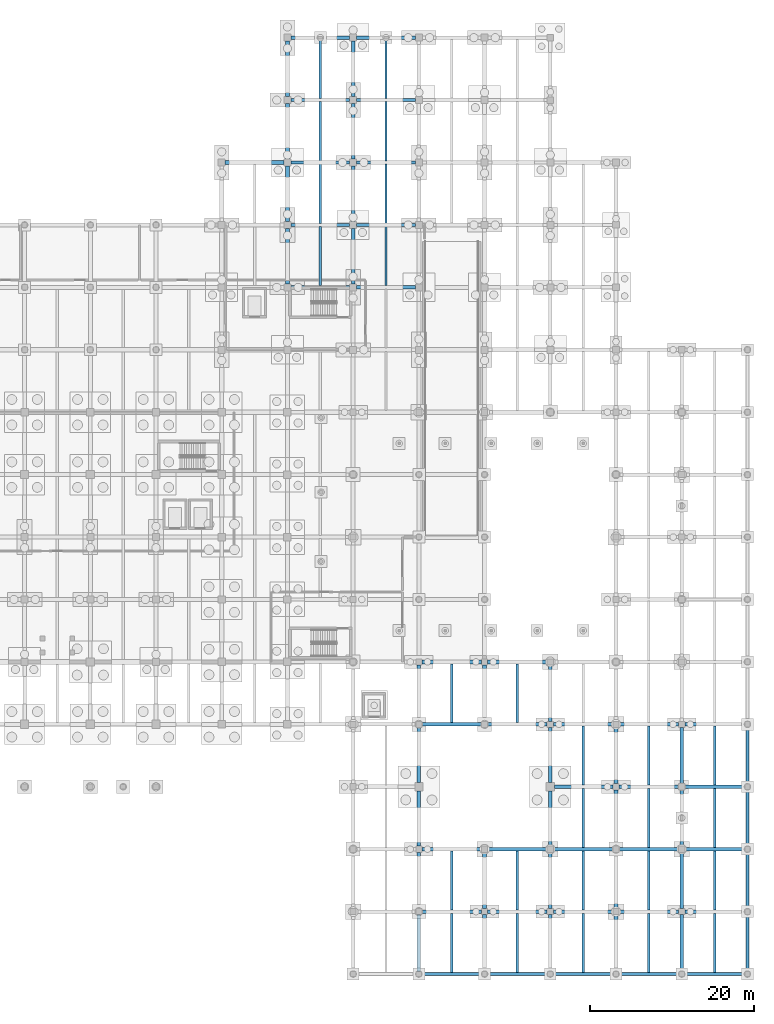
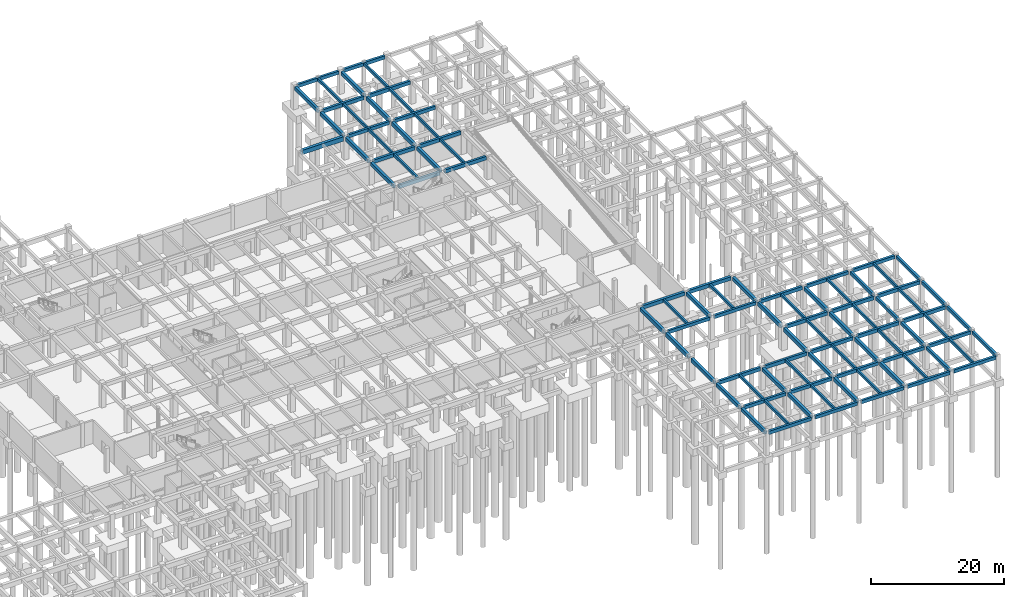
# One storey, part 31 of 49: 95 beams.
"""IFC4 building model written with IfcOpenShell, lengths in metres."""

from ifc_helpers import new_model, si_unit, direction, frame, origin, origin_2d, place, context, subcontext, project, spatial, rectangle, extrude, material, material_profile, profile_set, type_object, element, save


model = new_model("IFC4")

# Units and contexts
model_context = context("Model", 3, precision=1e-05, world=origin(), true_north=direction((0.0, 1.0)))
body_context = subcontext(model_context, "Body", "Model", "MODEL_VIEW")
ifc_project = project(units=[si_unit("LENGTHUNIT", "METRE"), si_unit("AREAUNIT", "SQUARE_METRE"), si_unit("VOLUMEUNIT", "CUBIC_METRE"), si_unit("PLANEANGLEUNIT", "RADIAN"), si_unit("MASSUNIT", "GRAM", prefix="KILO")], contexts=[model_context])

# Site, building, storey
site_placement = place(None, origin())
site = spatial("IfcSite", under=ifc_project, at=site_placement, CompositionType="ELEMENT")
building_placement = place(site_placement, origin())
building = spatial("IfcBuilding", under=site, at=building_placement, Name="Zantavel Square City Hall", CompositionType="ELEMENT")
storey_placement = place(building_placement, frame((0.0, 0.0, -4.5)))
storey = spatial("IfcBuildingStorey", under=building, at=storey_placement, Name="B1", CompositionType="ELEMENT", Elevation=-4.5)

# Beams
ifc_material = material(Name="Concrete C35/45", Category="concrete")
ifc_material_profile_1 = material_profile(ifc_material, rectangle(XDim=0.449951171875, YDim=0.64990234375, at=origin_2d()), Name="RC 450x650")
ifc_profile_set_1 = profile_set([ifc_material_profile_1], Name="Concrete C35/45")
beam_type_1 = type_object("IfcBeamType", Name="Courtyard Cloister Girder RC 450x650 C35/45", PredefinedType="BEAM", material=ifc_profile_set_1)
for number, where, z_axis, x_axis, name in (
    (1, (128.375, 38.0, 3.875), (1.0, 0.0, 0.0), (0.0, 1.0, 0.0), "B1 Girder BMX-B1-1280-0380"),
    (2, (136.375, 38.0, 3.875), (1.0, 0.0, 0.0), (0.0, 1.0, 0.0), "B1 Girder BMX-B1-1360-0380"),
):
    element("IfcBeam", number, at=place(storey_placement, frame(where, z_axis=z_axis, x_axis=x_axis)), inside=storey, type_object=beam_type_1, Name=name, PredefinedType="BEAM", context=body_context, shape_type="SweptSolid", body=[
        extrude(rectangle(XDim=0.449951171875, YDim=0.64990234375, at=origin_2d()), origin(), (0.0, 0.0, 1.0), 7.25),
    ])
ifc_material_profile_2 = material_profile(ifc_material, rectangle(XDim=0.300048828125, YDim=0.5, at=origin_2d()), Name="RC 300x500")
ifc_profile_set_2 = profile_set([ifc_material_profile_2], Name="Concrete C35/45")
beam_type_2 = type_object("IfcBeamType", Name="Floor Joist RC 300x500 C35/45", PredefinedType="JOIST", material=ifc_profile_set_2)
beam_1_placement = place(storey_placement, frame((116.0, 83.800048828125, 3.949951171875), z_axis=(0.0, 1.0, 0.0), x_axis=(-1.0, 0.0, 0.0)))
element("IfcBeam", 3, at=beam_1_placement, inside=storey, type_object=beam_type_2, Name="B1 Floor Joist JST-B1-1160-0836", PredefinedType="JOIST", context=body_context, shape_type="SweptSolid", body=[
    extrude(rectangle(XDim=0.300048828125, YDim=0.5, at=origin_2d()), origin(), (0.0, 0.0, 1.0), 7.199951171875),
])
beam_2_placement = place(storey_placement, frame((116.0, 91.39990234375, 3.949951171875), z_axis=(0.0, 1.0, 0.0), x_axis=(-1.0, 0.0, 0.0)))
element("IfcBeam", 4, at=beam_2_placement, inside=storey, type_object=beam_type_2, Name="B1 Floor Joist JST-B1-1160-0912", PredefinedType="JOIST", context=body_context, shape_type="SweptSolid", body=[
    extrude(rectangle(XDim=0.300048828125, YDim=0.5, at=origin_2d()), origin(), (0.0, 0.0, 1.0), 7.2001953125),
])
for number, where, z_axis, x_axis, name in (
    (5, (116.0, 99.0, 3.949951171875), (0.0, 1.0, 0.0), (-1.0, 0.0, 0.0), "B1 Floor Joist JST-B1-1160-0988"),
    (6, (116.0, 106.60009765625, 3.949951171875), (0.0, 1.0, 0.0), (-1.0, 0.0, 0.0), "B1 Floor Joist JST-B1-1160-1064"),
    (7, (124.0, 83.800048828125, 3.949951171875), (0.0, 1.0, 0.0), (-1.0, 0.0, 0.0), "B1 Floor Joist JST-B1-1240-0836"),
):
    element("IfcBeam", number, at=place(storey_placement, frame(where, z_axis=z_axis, x_axis=x_axis)), inside=storey, type_object=beam_type_2, Name=name, PredefinedType="JOIST", context=body_context, shape_type="SweptSolid", body=[
        extrude(rectangle(XDim=0.300048828125, YDim=0.5, at=origin_2d()), origin(), (0.0, 0.0, 1.0), 7.199951171875),
    ])
beam_3_placement = place(storey_placement, frame((124.0, 91.39990234375, 3.949951171875), z_axis=(0.0, 1.0, 0.0), x_axis=(-1.0, 0.0, 0.0)))
element("IfcBeam", 8, at=beam_3_placement, inside=storey, type_object=beam_type_2, Name="B1 Floor Joist JST-B1-1240-0912", PredefinedType="JOIST", context=body_context, shape_type="SweptSolid", body=[
    extrude(rectangle(XDim=0.300048828125, YDim=0.5, at=origin_2d()), origin(), (0.0, 0.0, 1.0), 7.2001953125),
])
for number, where, z_axis, x_axis, name in (
    (9, (124.0, 99.0, 3.949951171875), (0.0, 1.0, 0.0), (-1.0, 0.0, 0.0), "B1 Floor Joist JST-B1-1240-0988"),
    (10, (124.0, 106.60009765625, 3.949951171875), (0.0, 1.0, 0.0), (-1.0, 0.0, 0.0), "B1 Floor Joist JST-B1-1240-1064"),
    (11, (132.0, 0.199951171875, 3.949951171875), (0.0, 1.0, 0.0), (-1.0, 0.0, 0.0), "B1 Floor Joist JST-B1-1320-0000"),
    (12, (132.0, 7.800048828125, 3.949951171875), (0.0, 1.0, 0.0), (-1.0, 0.0, 0.0), "B1 Floor Joist JST-B1-1320-0076"),
):
    element("IfcBeam", number, at=place(storey_placement, frame(where, z_axis=z_axis, x_axis=x_axis)), inside=storey, type_object=beam_type_2, Name=name, PredefinedType="JOIST", context=body_context, shape_type="SweptSolid", body=[
        extrude(rectangle(XDim=0.300048828125, YDim=0.5, at=origin_2d()), origin(), (0.0, 0.0, 1.0), 7.199951171875),
    ])
beam_4_placement = place(storey_placement, frame((132.0, 30.60009765625, 3.949951171875), z_axis=(0.0, 1.0, 0.0), x_axis=(-1.0, 0.0, 0.0)))
element("IfcBeam", 13, at=beam_4_placement, inside=storey, type_object=beam_type_2, Name="B1 Floor Joist JST-B1-1320-0304", PredefinedType="JOIST", context=body_context, shape_type="SweptSolid", body=[
    extrude(rectangle(XDim=0.300048828125, YDim=0.5, at=origin_2d()), origin(), (0.0, 0.0, 1.0), 7.1748046875),
])
for number, where, z_axis, x_axis, name in (
    (14, (140.0, 0.199951171875, 3.949951171875), (0.0, 1.0, 0.0), (-1.0, 0.0, 0.0), "B1 Floor Joist JST-B1-1400-0000"),
    (15, (140.0, 7.800048828125, 3.949951171875), (0.0, 1.0, 0.0), (-1.0, 0.0, 0.0), "B1 Floor Joist JST-B1-1400-0076"),
):
    element("IfcBeam", number, at=place(storey_placement, frame(where, z_axis=z_axis, x_axis=x_axis)), inside=storey, type_object=beam_type_2, Name=name, PredefinedType="JOIST", context=body_context, shape_type="SweptSolid", body=[
        extrude(rectangle(XDim=0.300048828125, YDim=0.5, at=origin_2d()), origin(), (0.0, 0.0, 1.0), 7.199951171875),
    ])
beam_5_placement = place(storey_placement, frame((140.0, 30.60009765625, 3.949951171875), z_axis=(0.0, 1.0, 0.0), x_axis=(-1.0, 0.0, 0.0)))
element("IfcBeam", 16, at=beam_5_placement, inside=storey, type_object=beam_type_2, Name="B1 Floor Joist JST-B1-1400-0304", PredefinedType="JOIST", context=body_context, shape_type="SweptSolid", body=[
    extrude(rectangle(XDim=0.300048828125, YDim=0.5, at=origin_2d()), origin(), (0.0, 0.0, 1.0), 7.1748046875),
])
for number, where, z_axis, x_axis, name in (
    (17, (148.0, 0.199951171875, 3.949951171875), (0.0, 1.0, 0.0), (-1.0, 0.0, 0.0), "B1 Floor Joist JST-B1-1480-0000"),
    (18, (148.0, 7.800048828125, 3.949951171875), (0.0, 1.0, 0.0), (-1.0, 0.0, 0.0), "B1 Floor Joist JST-B1-1480-0076"),
):
    element("IfcBeam", number, at=place(storey_placement, frame(where, z_axis=z_axis, x_axis=x_axis)), inside=storey, type_object=beam_type_2, Name=name, PredefinedType="JOIST", context=body_context, shape_type="SweptSolid", body=[
        extrude(rectangle(XDim=0.300048828125, YDim=0.5, at=origin_2d()), origin(), (0.0, 0.0, 1.0), 7.199951171875),
    ])
beam_6_placement = place(storey_placement, frame((148.0, 15.39990234375, 3.949951171875), z_axis=(0.0, 1.0, 0.0), x_axis=(-1.0, 0.0, 0.0)))
element("IfcBeam", 19, at=beam_6_placement, inside=storey, type_object=beam_type_2, Name="B1 Floor Joist JST-B1-1480-0152", PredefinedType="JOIST", context=body_context, shape_type="SweptSolid", body=[
    extrude(rectangle(XDim=0.300048828125, YDim=0.5, at=origin_2d()), origin(), (0.0, 0.0, 1.0), 7.2001953125),
])
for number, where, z_axis, x_axis, name in (
    (20, (148.0, 23.0, 3.949951171875), (0.0, 1.0, 0.0), (-1.0, 0.0, 0.0), "B1 Floor Joist JST-B1-1480-0228"),
    (21, (156.0, 0.199951171875, 3.949951171875), (0.0, 1.0, 0.0), (-1.0, 0.0, 0.0), "B1 Floor Joist JST-B1-1560-0000"),
    (22, (156.0, 7.800048828125, 3.949951171875), (0.0, 1.0, 0.0), (-1.0, 0.0, 0.0), "B1 Floor Joist JST-B1-1560-0076"),
):
    element("IfcBeam", number, at=place(storey_placement, frame(where, z_axis=z_axis, x_axis=x_axis)), inside=storey, type_object=beam_type_2, Name=name, PredefinedType="JOIST", context=body_context, shape_type="SweptSolid", body=[
        extrude(rectangle(XDim=0.300048828125, YDim=0.5, at=origin_2d()), origin(), (0.0, 0.0, 1.0), 7.199951171875),
    ])
beam_7_placement = place(storey_placement, frame((156.0, 15.39990234375, 3.949951171875), z_axis=(0.0, 1.0, 0.0), x_axis=(-1.0, 0.0, 0.0)))
element("IfcBeam", 23, at=beam_7_placement, inside=storey, type_object=beam_type_2, Name="B1 Floor Joist JST-B1-1560-0152", PredefinedType="JOIST", context=body_context, shape_type="SweptSolid", body=[
    extrude(rectangle(XDim=0.300048828125, YDim=0.5, at=origin_2d()), origin(), (0.0, 0.0, 1.0), 7.2001953125),
])
for number, where, z_axis, x_axis, name in (
    (24, (156.0, 23.0, 3.949951171875), (0.0, 1.0, 0.0), (-1.0, 0.0, 0.0), "B1 Floor Joist JST-B1-1560-0228"),
    (25, (164.0, 0.199951171875, 4.0), (0.0, 1.0, 0.0), (-1.0, 0.0, 0.0), "B1 Floor Joist JST-B1-1640-0000"),
    (26, (164.0, 7.800048828125, 4.0), (0.0, 1.0, 0.0), (-1.0, 0.0, 0.0), "B1 Floor Joist JST-B1-1640-0076"),
):
    element("IfcBeam", number, at=place(storey_placement, frame(where, z_axis=z_axis, x_axis=x_axis)), inside=storey, type_object=beam_type_2, Name=name, PredefinedType="JOIST", context=body_context, shape_type="SweptSolid", body=[
        extrude(rectangle(XDim=0.300048828125, YDim=0.5, at=origin_2d()), origin(), (0.0, 0.0, 1.0), 7.199951171875),
    ])
beam_8_placement = place(storey_placement, frame((164.0, 15.39990234375, 4.0), z_axis=(0.0, 1.0, 0.0), x_axis=(-1.0, 0.0, 0.0)))
element("IfcBeam", 27, at=beam_8_placement, inside=storey, type_object=beam_type_2, Name="B1 Floor Joist JST-B1-1640-0152", PredefinedType="JOIST", context=body_context, shape_type="SweptSolid", body=[
    extrude(rectangle(XDim=0.300048828125, YDim=0.5, at=origin_2d()), origin(), (0.0, 0.0, 1.0), 7.2001953125),
])
beam_9_placement = place(storey_placement, frame((164.0, 23.0, 4.0), z_axis=(0.0, 1.0, 0.0), x_axis=(-1.0, 0.0, 0.0)))
element("IfcBeam", 28, at=beam_9_placement, inside=storey, type_object=beam_type_2, Name="B1 Floor Joist JST-B1-1640-0228", PredefinedType="JOIST", context=body_context, shape_type="SweptSolid", body=[
    extrude(rectangle(XDim=0.300048828125, YDim=0.5, at=origin_2d()), origin(), (0.0, 0.0, 1.0), 7.199951171875),
])
ifc_material_profile_3 = material_profile(ifc_material, rectangle(XDim=0.39990234375, YDim=0.64990234375, at=origin_2d()), Name="RC 400x650")
ifc_profile_set_3 = profile_set([ifc_material_profile_3], Name="Concrete C35/45")
beam_type_3 = type_object("IfcBeamType", Name="Frame Beam RC 400x650 C35/45", PredefinedType="BEAM", material=ifc_profile_set_3)
for number, where, z_axis, x_axis, name in (
    (29, (112.425048828125, 83.60009765625, 3.875), (1.0, 0.0, 0.0), (0.0, 1.0, 0.0), "B1 Girder BMX-B1-1120-0836"),
    (30, (112.425048828125, 91.199951171875, 3.875), (1.0, 0.0, 0.0), (0.0, 1.0, 0.0), "B1 Girder BMX-B1-1120-0912"),
    (31, (112.425048828125, 106.39990234375, 3.875), (1.0, 0.0, 0.0), (0.0, 1.0, 0.0), "B1 Girder BMX-B1-1120-1064"),
    (32, (120.425048828125, 83.60009765625, 3.875), (1.0, 0.0, 0.0), (0.0, 1.0, 0.0), "B1 Girder BMX-B1-1200-0836"),
    (33, (120.425048828125, 91.199951171875, 3.875), (1.0, 0.0, 0.0), (0.0, 1.0, 0.0), "B1 Girder BMX-B1-1200-0912"),
    (34, (120.425048828125, 106.39990234375, 3.875), (1.0, 0.0, 0.0), (0.0, 1.0, 0.0), "B1 Girder BMX-B1-1200-1064"),
):
    element("IfcBeam", number, at=place(storey_placement, frame(where, z_axis=z_axis, x_axis=x_axis)), inside=storey, type_object=beam_type_3, Name=name, PredefinedType="BEAM", context=body_context, shape_type="SweptSolid", body=[
        extrude(rectangle(XDim=0.39990234375, YDim=0.64990234375, at=origin_2d()), origin(), (0.0, 0.0, 1.0), 7.14990234375),
    ])
for number, where, z_axis, x_axis, name in (
    (35, (128.375, 15.199951171875, 3.875), (1.0, 0.0, 0.0), (0.0, 1.0, 0.0), "B1 Girder BMX-B1-1280-0152"),
    (36, (136.375, 15.199951171875, 3.875), (1.0, 0.0, 0.0), (0.0, 1.0, 0.0), "B1 Girder BMX-B1-1360-0152"),
    (37, (144.375, 15.199951171875, 3.875), (1.0, 0.0, 0.0), (0.0, 1.0, 0.0), "B1 Girder BMX-B1-1440-0152"),
):
    element("IfcBeam", number, at=place(storey_placement, frame(where, z_axis=z_axis, x_axis=x_axis)), inside=storey, type_object=beam_type_3, Name=name, PredefinedType="BEAM", context=body_context, shape_type="SweptSolid", body=[
        extrude(rectangle(XDim=0.39990234375, YDim=0.64990234375, at=origin_2d()), origin(), (0.0, 0.0, 1.0), 7.25),
    ])
beam_10_placement = place(storey_placement, frame((144.5, 22.800048828125, 3.875), z_axis=(1.0, 0.0, 0.0), x_axis=(0.0, 1.0, 0.0)))
element("IfcBeam", 38, at=beam_10_placement, inside=storey, type_object=beam_type_3, Name="B1 Girder BMX-B1-1440-0228", PredefinedType="BEAM", context=body_context, shape_type="SweptSolid", body=[
    extrude(rectangle(XDim=0.39990234375, YDim=0.64990234375, at=origin_2d()), origin(), (0.0, 0.0, 1.0), 7.125),
])
for number, where, z_axis, x_axis, name in (
    (39, (152.375, 15.199951171875, 3.875), (1.0, 0.0, 0.0), (0.0, 1.0, 0.0), "B1 Girder BMX-B1-1520-0152"),
    (40, (152.375, 22.800048828125, 3.875), (1.0, 0.0, 0.0), (0.0, 1.0, 0.0), "B1 Girder BMX-B1-1520-0228"),
):
    element("IfcBeam", number, at=place(storey_placement, frame(where, z_axis=z_axis, x_axis=x_axis)), inside=storey, type_object=beam_type_3, Name=name, PredefinedType="BEAM", context=body_context, shape_type="SweptSolid", body=[
        extrude(rectangle(XDim=0.39990234375, YDim=0.64990234375, at=origin_2d()), origin(), (0.0, 0.0, 1.0), 7.25),
    ])
for number, where, z_axis, x_axis, name in (
    (41, (160.375, 15.199951171875, 3.925048828125), (1.0, 0.0, 0.0), (0.0, 1.0, 0.0), "B1 Girder BMX-B1-1600-0152"),
    (42, (160.375, 22.800048828125, 3.925048828125), (1.0, 0.0, 0.0), (0.0, 1.0, 0.0), "B1 Girder BMX-B1-1600-0228"),
):
    element("IfcBeam", number, at=place(storey_placement, frame(where, z_axis=z_axis, x_axis=x_axis)), inside=storey, type_object=beam_type_3, Name=name, PredefinedType="BEAM", context=body_context, shape_type="SweptSolid", body=[
        extrude(rectangle(XDim=0.39990234375, YDim=0.64990234375, at=origin_2d()), origin(), (0.0, 0.0, 1.0), 7.300048828125),
    ])
ifc_material_profile_4 = material_profile(ifc_material, rectangle(XDim=0.39990234375, YDim=0.60009765625, at=origin_2d()), Name="RC 400x600")
ifc_profile_set_4 = profile_set([ifc_material_profile_4], Name="Concrete C35/45")
beam_type_4 = type_object("IfcBeamType", Name="Perimeter Spandrel RC 400x600 C35/45", PredefinedType="SPANDREL", material=ifc_profile_set_4)
for number, where, z_axis, x_axis, name in (
    (43, (112.425048828125, 98.800048828125, 3.89990234375), (1.0, 0.0, 0.0), (0.0, 1.0, 0.0), "B1 Girder BMX-B1-1120-0988"),
    (44, (112.425048828125, 114.0, 3.89990234375), (1.0, 0.0, 0.0), (0.0, 1.0, 0.0), "B1 Girder BMX-B1-1120-1140"),
    (45, (120.425048828125, 98.800048828125, 3.89990234375), (1.0, 0.0, 0.0), (0.0, 1.0, 0.0), "B1 Girder BMX-B1-1200-0988"),
    (46, (120.425048828125, 114.0, 3.89990234375), (1.0, 0.0, 0.0), (0.0, 1.0, 0.0), "B1 Girder BMX-B1-1200-1140"),
):
    element("IfcBeam", number, at=place(storey_placement, frame(where, z_axis=z_axis, x_axis=x_axis)), inside=storey, type_object=beam_type_4, Name=name, PredefinedType="SPANDREL", context=body_context, shape_type="SweptSolid", body=[
        extrude(rectangle(XDim=0.39990234375, YDim=0.60009765625, at=origin_2d()), origin(), (0.0, 0.0, 1.0), 7.14990234375),
    ])
beam_11_placement = place(storey_placement, frame((128.324951171875, 0.0, 3.949951171875), z_axis=(1.0, 0.0, 0.0), x_axis=(0.0, 1.0, 0.0)))
element("IfcBeam", 47, at=beam_11_placement, inside=storey, type_object=beam_type_4, Name="B1 Girder BMX-B1-1280-0000", PredefinedType="SPANDREL", context=body_context, shape_type="SweptSolid", body=[
    extrude(rectangle(XDim=0.39990234375, YDim=0.60009765625, at=origin_2d()), origin(), (0.0, 0.0, 1.0), 7.35009765625),
])
for number, where, z_axis, x_axis, name in (
    (48, (128.375, 7.60009765625, 3.89990234375), (1.0, 0.0, 0.0), (0.0, 1.0, 0.0), "B1 Girder BMX-B1-1280-0076"),
    (49, (128.375, 30.39990234375, 3.89990234375), (1.0, 0.0, 0.0), (0.0, 1.0, 0.0), "B1 Girder BMX-B1-1280-0304"),
):
    element("IfcBeam", number, at=place(storey_placement, frame(where, z_axis=z_axis, x_axis=x_axis)), inside=storey, type_object=beam_type_4, Name=name, PredefinedType="SPANDREL", context=body_context, shape_type="SweptSolid", body=[
        extrude(rectangle(XDim=0.39990234375, YDim=0.60009765625, at=origin_2d()), origin(), (0.0, 0.0, 1.0), 7.25),
    ])
beam_12_placement = place(storey_placement, frame((136.324951171875, 0.0, 3.949951171875), z_axis=(1.0, 0.0, 0.0), x_axis=(0.0, 1.0, 0.0)))
element("IfcBeam", 50, at=beam_12_placement, inside=storey, type_object=beam_type_4, Name="B1 Girder BMX-B1-1360-0000", PredefinedType="SPANDREL", context=body_context, shape_type="SweptSolid", body=[
    extrude(rectangle(XDim=0.39990234375, YDim=0.60009765625, at=origin_2d()), origin(), (0.0, 0.0, 1.0), 7.35009765625),
])
for number, where, z_axis, x_axis, name in (
    (51, (136.375, 7.60009765625, 3.89990234375), (1.0, 0.0, 0.0), (0.0, 1.0, 0.0), "B1 Girder BMX-B1-1360-0076"),
    (52, (136.375, 30.39990234375, 3.89990234375), (1.0, 0.0, 0.0), (0.0, 1.0, 0.0), "B1 Girder BMX-B1-1360-0304"),
):
    element("IfcBeam", number, at=place(storey_placement, frame(where, z_axis=z_axis, x_axis=x_axis)), inside=storey, type_object=beam_type_4, Name=name, PredefinedType="SPANDREL", context=body_context, shape_type="SweptSolid", body=[
        extrude(rectangle(XDim=0.39990234375, YDim=0.60009765625, at=origin_2d()), origin(), (0.0, 0.0, 1.0), 7.25),
    ])
beam_13_placement = place(storey_placement, frame((144.324951171875, 0.0, 3.949951171875), z_axis=(1.0, 0.0, 0.0), x_axis=(0.0, 1.0, 0.0)))
element("IfcBeam", 53, at=beam_13_placement, inside=storey, type_object=beam_type_4, Name="B1 Girder BMX-B1-1440-0000", PredefinedType="SPANDREL", context=body_context, shape_type="SweptSolid", body=[
    extrude(rectangle(XDim=0.39990234375, YDim=0.60009765625, at=origin_2d()), origin(), (0.0, 0.0, 1.0), 7.35009765625),
])
for number, where, z_axis, x_axis, name in (
    (54, (144.375, 7.60009765625, 3.89990234375), (1.0, 0.0, 0.0), (0.0, 1.0, 0.0), "B1 Girder BMX-B1-1440-0076"),
    (55, (144.375, 30.39990234375, 3.89990234375), (1.0, 0.0, 0.0), (0.0, 1.0, 0.0), "B1 Girder BMX-B1-1440-0304"),
):
    element("IfcBeam", number, at=place(storey_placement, frame(where, z_axis=z_axis, x_axis=x_axis)), inside=storey, type_object=beam_type_4, Name=name, PredefinedType="SPANDREL", context=body_context, shape_type="SweptSolid", body=[
        extrude(rectangle(XDim=0.39990234375, YDim=0.60009765625, at=origin_2d()), origin(), (0.0, 0.0, 1.0), 7.25),
    ])
beam_14_placement = place(storey_placement, frame((152.324951171875, 0.0, 3.949951171875), z_axis=(1.0, 0.0, 0.0), x_axis=(0.0, 1.0, 0.0)))
element("IfcBeam", 56, at=beam_14_placement, inside=storey, type_object=beam_type_4, Name="B1 Girder BMX-B1-1520-0000", PredefinedType="SPANDREL", context=body_context, shape_type="SweptSolid", body=[
    extrude(rectangle(XDim=0.39990234375, YDim=0.60009765625, at=origin_2d()), origin(), (0.0, 0.0, 1.0), 7.35009765625),
])
for number, where, z_axis, x_axis, name in (
    (57, (152.375, 7.60009765625, 3.89990234375), (1.0, 0.0, 0.0), (0.0, 1.0, 0.0), "B1 Girder BMX-B1-1520-0076"),
    (58, (152.375, 30.39990234375, 3.89990234375), (1.0, 0.0, 0.0), (0.0, 1.0, 0.0), "B1 Girder BMX-B1-1520-0304"),
):
    element("IfcBeam", number, at=place(storey_placement, frame(where, z_axis=z_axis, x_axis=x_axis)), inside=storey, type_object=beam_type_4, Name=name, PredefinedType="SPANDREL", context=body_context, shape_type="SweptSolid", body=[
        extrude(rectangle(XDim=0.39990234375, YDim=0.60009765625, at=origin_2d()), origin(), (0.0, 0.0, 1.0), 7.25),
    ])
beam_15_placement = place(storey_placement, frame((160.324951171875, 0.0, 3.949951171875), z_axis=(1.0, 0.0, 0.0), x_axis=(0.0, 1.0, 0.0)))
element("IfcBeam", 59, at=beam_15_placement, inside=storey, type_object=beam_type_4, Name="B1 Girder BMX-B1-1600-0000", PredefinedType="SPANDREL", context=body_context, shape_type="SweptSolid", body=[
    extrude(rectangle(XDim=0.39990234375, YDim=0.60009765625, at=origin_2d()), origin(), (0.0, 0.0, 1.0), 7.35009765625),
])
beam_16_placement = place(storey_placement, frame((160.0, 0.324951171875, 3.949951171875), z_axis=(0.0, 1.0, 0.0), x_axis=(-1.0, 0.0, 0.0)))
element("IfcBeam", 60, at=beam_16_placement, inside=storey, type_object=beam_type_4, Name="B1 Beam BMY-B1-1600-0000", PredefinedType="SPANDREL", context=body_context, shape_type="SweptSolid", body=[
    extrude(rectangle(XDim=0.39990234375, YDim=0.60009765625, at=origin_2d()), origin(), (0.0, 0.0, 1.0), 6.900146484375),
])
beam_17_placement = place(storey_placement, frame((160.375, 7.60009765625, 3.949951171875), z_axis=(1.0, 0.0, 0.0), x_axis=(0.0, 1.0, 0.0)))
element("IfcBeam", 61, at=beam_17_placement, inside=storey, type_object=beam_type_4, Name="B1 Girder BMX-B1-1600-0076", PredefinedType="SPANDREL", context=body_context, shape_type="SweptSolid", body=[
    extrude(rectangle(XDim=0.39990234375, YDim=0.60009765625, at=origin_2d()), origin(), (0.0, 0.0, 1.0), 7.300048828125),
])
beam_18_placement = place(storey_placement, frame((160.0, 7.97509765625, 3.89990234375), z_axis=(0.0, 1.0, 0.0), x_axis=(-1.0, 0.0, 0.0)))
element("IfcBeam", 62, at=beam_18_placement, inside=storey, type_object=beam_type_4, Name="B1 Beam BMY-B1-1600-0076", PredefinedType="SPANDREL", context=body_context, shape_type="SweptSolid", body=[
    extrude(rectangle(XDim=0.39990234375, YDim=0.60009765625, at=origin_2d()), origin(), (0.0, 0.0, 1.0), 6.849853515625),
])
beam_19_placement = place(storey_placement, frame((160.0, 15.574951171875, 3.89990234375), z_axis=(0.0, 1.0, 0.0), x_axis=(-1.0, 0.0, 0.0)))
element("IfcBeam", 63, at=beam_19_placement, inside=storey, type_object=beam_type_4, Name="B1 Beam BMY-B1-1600-0152", PredefinedType="SPANDREL", context=body_context, shape_type="SweptSolid", body=[
    extrude(rectangle(XDim=0.39990234375, YDim=0.60009765625, at=origin_2d()), origin(), (0.0, 0.0, 1.0), 6.85009765625),
])
beam_20_placement = place(storey_placement, frame((160.0, 23.175048828125, 3.89990234375), z_axis=(0.0, 1.0, 0.0), x_axis=(-1.0, 0.0, 0.0)))
element("IfcBeam", 64, at=beam_20_placement, inside=storey, type_object=beam_type_4, Name="B1 Beam BMY-B1-1600-0228", PredefinedType="SPANDREL", context=body_context, shape_type="SweptSolid", body=[
    extrude(rectangle(XDim=0.39990234375, YDim=0.60009765625, at=origin_2d()), origin(), (0.0, 0.0, 1.0), 6.849853515625),
])
beam_21_placement = place(storey_placement, frame((160.375, 30.39990234375, 3.949951171875), z_axis=(1.0, 0.0, 0.0), x_axis=(0.0, 1.0, 0.0)))
element("IfcBeam", 65, at=beam_21_placement, inside=storey, type_object=beam_type_4, Name="B1 Girder BMX-B1-1600-0304", PredefinedType="SPANDREL", context=body_context, shape_type="SweptSolid", body=[
    extrude(rectangle(XDim=0.39990234375, YDim=0.60009765625, at=origin_2d()), origin(), (0.0, 0.0, 1.0), 7.300048828125),
])
for number, where, z_axis, x_axis, name in (
    (66, (168.0, 0.324951171875, 3.949951171875), (0.0, 1.0, 0.0), (-1.0, 0.0, 0.0), "B1 Beam BMY-B1-1680-0000"),
    (67, (168.0, 7.925048828125, 3.949951171875), (0.0, 1.0, 0.0), (-1.0, 0.0, 0.0), "B1 Beam BMY-B1-1680-0076"),
):
    element("IfcBeam", number, at=place(storey_placement, frame(where, z_axis=z_axis, x_axis=x_axis)), inside=storey, type_object=beam_type_4, Name=name, PredefinedType="SPANDREL", context=body_context, shape_type="SweptSolid", body=[
        extrude(rectangle(XDim=0.39990234375, YDim=0.60009765625, at=origin_2d()), origin(), (0.0, 0.0, 1.0), 6.949951171875),
    ])
beam_22_placement = place(storey_placement, frame((168.0, 15.52490234375, 3.949951171875), z_axis=(0.0, 1.0, 0.0), x_axis=(-1.0, 0.0, 0.0)))
element("IfcBeam", 68, at=beam_22_placement, inside=storey, type_object=beam_type_4, Name="B1 Beam BMY-B1-1680-0152", PredefinedType="SPANDREL", context=body_context, shape_type="SweptSolid", body=[
    extrude(rectangle(XDim=0.39990234375, YDim=0.60009765625, at=origin_2d()), origin(), (0.0, 0.0, 1.0), 6.9501953125),
])
beam_23_placement = place(storey_placement, frame((168.0, 23.125, 3.949951171875), z_axis=(0.0, 1.0, 0.0), x_axis=(-1.0, 0.0, 0.0)))
element("IfcBeam", 69, at=beam_23_placement, inside=storey, type_object=beam_type_4, Name="B1 Beam BMY-B1-1680-0228", PredefinedType="SPANDREL", context=body_context, shape_type="SweptSolid", body=[
    extrude(rectangle(XDim=0.39990234375, YDim=0.60009765625, at=origin_2d()), origin(), (0.0, 0.0, 1.0), 6.949951171875),
])
ifc_material_profile_5 = material_profile(ifc_material, rectangle(XDim=0.449951171875, YDim=0.699951171875, at=origin_2d()), Name="RC 450x700")
ifc_profile_set_5 = profile_set([ifc_material_profile_5], Name="Concrete C35/45")
beam_type_5 = type_object("IfcBeamType", Name="Primary Girder RC 450x700 C35/45", PredefinedType="BEAM", material=ifc_profile_set_5)
for number, where, z_axis, x_axis, name in (
    (70, (112.0, 84.02490234375, 3.85009765625), (0.0, 1.0, 0.0), (-1.0, 0.0, 0.0), "B1 Beam BMY-B1-1120-0836"),
    (71, (112.0, 91.625, 3.85009765625), (0.0, 1.0, 0.0), (-1.0, 0.0, 0.0), "B1 Beam BMY-B1-1120-0912"),
    (72, (112.0, 99.22509765625, 3.85009765625), (0.0, 1.0, 0.0), (-1.0, 0.0, 0.0), "B1 Beam BMY-B1-1120-0988"),
    (73, (112.0, 106.824951171875, 3.85009765625), (0.0, 1.0, 0.0), (-1.0, 0.0, 0.0), "B1 Beam BMY-B1-1120-1064"),
    (74, (120.0, 84.02490234375, 3.85009765625), (0.0, 1.0, 0.0), (-1.0, 0.0, 0.0), "B1 Beam BMY-B1-1200-0836"),
    (75, (120.0, 91.625, 3.85009765625), (0.0, 1.0, 0.0), (-1.0, 0.0, 0.0), "B1 Beam BMY-B1-1200-0912"),
    (76, (120.0, 99.22509765625, 3.85009765625), (0.0, 1.0, 0.0), (-1.0, 0.0, 0.0), "B1 Beam BMY-B1-1200-0988"),
    (77, (120.0, 106.824951171875, 3.85009765625), (0.0, 1.0, 0.0), (-1.0, 0.0, 0.0), "B1 Beam BMY-B1-1200-1064"),
):
    element("IfcBeam", number, at=place(storey_placement, frame(where, z_axis=z_axis, x_axis=x_axis)), inside=storey, type_object=beam_type_5, Name=name, PredefinedType="BEAM", context=body_context, shape_type="SweptSolid", body=[
        extrude(rectangle(XDim=0.449951171875, YDim=0.699951171875, at=origin_2d()), origin(), (0.0, 0.0, 1.0), 6.75),
    ])
beam_24_placement = place(storey_placement, frame((128.0, 0.324951171875, 3.89990234375), z_axis=(0.0, 1.0, 0.0), x_axis=(-1.0, 0.0, 0.0)))
element("IfcBeam", 78, at=beam_24_placement, inside=storey, type_object=beam_type_5, Name="B1 Beam BMY-B1-1280-0000", PredefinedType="BEAM", context=body_context, shape_type="SweptSolid", body=[
    extrude(rectangle(XDim=0.449951171875, YDim=0.699951171875, at=origin_2d()), origin(), (0.0, 0.0, 1.0), 6.900146484375),
])
beam_25_placement = place(storey_placement, frame((128.0, 7.97509765625, 3.85009765625), z_axis=(0.0, 1.0, 0.0), x_axis=(-1.0, 0.0, 0.0)))
element("IfcBeam", 79, at=beam_25_placement, inside=storey, type_object=beam_type_5, Name="B1 Beam BMY-B1-1280-0076", PredefinedType="BEAM", context=body_context, shape_type="SweptSolid", body=[
    extrude(rectangle(XDim=0.449951171875, YDim=0.699951171875, at=origin_2d()), origin(), (0.0, 0.0, 1.0), 6.849853515625),
])
beam_26_placement = place(storey_placement, frame((128.0, 15.574951171875, 3.85009765625), z_axis=(0.0, 1.0, 0.0), x_axis=(-1.0, 0.0, 0.0)))
element("IfcBeam", 80, at=beam_26_placement, inside=storey, type_object=beam_type_5, Name="B1 Beam BMY-B1-1280-0152", PredefinedType="BEAM", context=body_context, shape_type="SweptSolid", body=[
    extrude(rectangle(XDim=0.449951171875, YDim=0.699951171875, at=origin_2d()), origin(), (0.0, 0.0, 1.0), 6.72509765625),
])
beam_27_placement = place(storey_placement, frame((128.0, 23.300048828125, 3.85009765625), z_axis=(0.0, 1.0, 0.0), x_axis=(-1.0, 0.0, 0.0)))
element("IfcBeam", 81, at=beam_27_placement, inside=storey, type_object=beam_type_5, Name="B1 Beam BMY-B1-1280-0228", PredefinedType="BEAM", context=body_context, shape_type="SweptSolid", body=[
    extrude(rectangle(XDim=0.449951171875, YDim=0.699951171875, at=origin_2d()), origin(), (0.0, 0.0, 1.0), 6.724853515625),
])
beam_28_placement = place(storey_placement, frame((128.0, 30.77490234375, 3.85009765625), z_axis=(0.0, 1.0, 0.0), x_axis=(-1.0, 0.0, 0.0)))
element("IfcBeam", 82, at=beam_28_placement, inside=storey, type_object=beam_type_5, Name="B1 Beam BMY-B1-1280-0304", PredefinedType="BEAM", context=body_context, shape_type="SweptSolid", body=[
    extrude(rectangle(XDim=0.449951171875, YDim=0.699951171875, at=origin_2d()), origin(), (0.0, 0.0, 1.0), 6.85009765625),
])
beam_29_placement = place(storey_placement, frame((136.0, 0.324951171875, 3.89990234375), z_axis=(0.0, 1.0, 0.0), x_axis=(-1.0, 0.0, 0.0)))
element("IfcBeam", 83, at=beam_29_placement, inside=storey, type_object=beam_type_5, Name="B1 Beam BMY-B1-1360-0000", PredefinedType="BEAM", context=body_context, shape_type="SweptSolid", body=[
    extrude(rectangle(XDim=0.449951171875, YDim=0.699951171875, at=origin_2d()), origin(), (0.0, 0.0, 1.0), 6.900146484375),
])
beam_30_placement = place(storey_placement, frame((136.0, 7.97509765625, 3.85009765625), z_axis=(0.0, 1.0, 0.0), x_axis=(-1.0, 0.0, 0.0)))
element("IfcBeam", 84, at=beam_30_placement, inside=storey, type_object=beam_type_5, Name="B1 Beam BMY-B1-1360-0076", PredefinedType="BEAM", context=body_context, shape_type="SweptSolid", body=[
    extrude(rectangle(XDim=0.449951171875, YDim=0.699951171875, at=origin_2d()), origin(), (0.0, 0.0, 1.0), 6.849853515625),
])
beam_31_placement = place(storey_placement, frame((136.0, 30.77490234375, 3.85009765625), z_axis=(0.0, 1.0, 0.0), x_axis=(-1.0, 0.0, 0.0)))
element("IfcBeam", 85, at=beam_31_placement, inside=storey, type_object=beam_type_5, Name="B1 Beam BMY-B1-1360-0304", PredefinedType="BEAM", context=body_context, shape_type="SweptSolid", body=[
    extrude(rectangle(XDim=0.449951171875, YDim=0.699951171875, at=origin_2d()), origin(), (0.0, 0.0, 1.0), 6.85009765625),
])
beam_32_placement = place(storey_placement, frame((144.0, 0.324951171875, 3.89990234375), z_axis=(0.0, 1.0, 0.0), x_axis=(-1.0, 0.0, 0.0)))
element("IfcBeam", 86, at=beam_32_placement, inside=storey, type_object=beam_type_5, Name="B1 Beam BMY-B1-1440-0000", PredefinedType="BEAM", context=body_context, shape_type="SweptSolid", body=[
    extrude(rectangle(XDim=0.449951171875, YDim=0.699951171875, at=origin_2d()), origin(), (0.0, 0.0, 1.0), 6.900146484375),
])
beam_33_placement = place(storey_placement, frame((144.0, 7.97509765625, 3.85009765625), z_axis=(0.0, 1.0, 0.0), x_axis=(-1.0, 0.0, 0.0)))
element("IfcBeam", 87, at=beam_33_placement, inside=storey, type_object=beam_type_5, Name="B1 Beam BMY-B1-1440-0076", PredefinedType="BEAM", context=body_context, shape_type="SweptSolid", body=[
    extrude(rectangle(XDim=0.449951171875, YDim=0.699951171875, at=origin_2d()), origin(), (0.0, 0.0, 1.0), 6.849853515625),
])
beam_34_placement = place(storey_placement, frame((144.0, 15.574951171875, 3.85009765625), z_axis=(0.0, 1.0, 0.0), x_axis=(-1.0, 0.0, 0.0)))
element("IfcBeam", 88, at=beam_34_placement, inside=storey, type_object=beam_type_5, Name="B1 Beam BMY-B1-1440-0152", PredefinedType="BEAM", context=body_context, shape_type="SweptSolid", body=[
    extrude(rectangle(XDim=0.449951171875, YDim=0.699951171875, at=origin_2d()), origin(), (0.0, 0.0, 1.0), 6.72509765625),
])
beam_35_placement = place(storey_placement, frame((144.0, 23.300048828125, 3.85009765625), z_axis=(0.0, 1.0, 0.0), x_axis=(-1.0, 0.0, 0.0)))
element("IfcBeam", 89, at=beam_35_placement, inside=storey, type_object=beam_type_5, Name="B1 Beam BMY-B1-1440-0228", PredefinedType="BEAM", context=body_context, shape_type="SweptSolid", body=[
    extrude(rectangle(XDim=0.449951171875, YDim=0.699951171875, at=origin_2d()), origin(), (0.0, 0.0, 1.0), 6.724853515625),
])
beam_36_placement = place(storey_placement, frame((144.0, 30.77490234375, 3.85009765625), z_axis=(0.0, 1.0, 0.0), x_axis=(-1.0, 0.0, 0.0)))
element("IfcBeam", 90, at=beam_36_placement, inside=storey, type_object=beam_type_5, Name="B1 Beam BMY-B1-1440-0304", PredefinedType="BEAM", context=body_context, shape_type="SweptSolid", body=[
    extrude(rectangle(XDim=0.449951171875, YDim=0.699951171875, at=origin_2d()), origin(), (0.0, 0.0, 1.0), 6.85009765625),
])
beam_37_placement = place(storey_placement, frame((152.0, 0.324951171875, 3.89990234375), z_axis=(0.0, 1.0, 0.0), x_axis=(-1.0, 0.0, 0.0)))
element("IfcBeam", 91, at=beam_37_placement, inside=storey, type_object=beam_type_5, Name="B1 Beam BMY-B1-1520-0000", PredefinedType="BEAM", context=body_context, shape_type="SweptSolid", body=[
    extrude(rectangle(XDim=0.449951171875, YDim=0.699951171875, at=origin_2d()), origin(), (0.0, 0.0, 1.0), 6.900146484375),
])
beam_38_placement = place(storey_placement, frame((152.0, 7.97509765625, 3.85009765625), z_axis=(0.0, 1.0, 0.0), x_axis=(-1.0, 0.0, 0.0)))
element("IfcBeam", 92, at=beam_38_placement, inside=storey, type_object=beam_type_5, Name="B1 Beam BMY-B1-1520-0076", PredefinedType="BEAM", context=body_context, shape_type="SweptSolid", body=[
    extrude(rectangle(XDim=0.449951171875, YDim=0.699951171875, at=origin_2d()), origin(), (0.0, 0.0, 1.0), 6.849853515625),
])
beam_39_placement = place(storey_placement, frame((152.0, 15.574951171875, 3.85009765625), z_axis=(0.0, 1.0, 0.0), x_axis=(-1.0, 0.0, 0.0)))
element("IfcBeam", 93, at=beam_39_placement, inside=storey, type_object=beam_type_5, Name="B1 Beam BMY-B1-1520-0152", PredefinedType="BEAM", context=body_context, shape_type="SweptSolid", body=[
    extrude(rectangle(XDim=0.449951171875, YDim=0.699951171875, at=origin_2d()), origin(), (0.0, 0.0, 1.0), 6.85009765625),
])
beam_40_placement = place(storey_placement, frame((152.0, 23.175048828125, 3.85009765625), z_axis=(0.0, 1.0, 0.0), x_axis=(-1.0, 0.0, 0.0)))
element("IfcBeam", 94, at=beam_40_placement, inside=storey, type_object=beam_type_5, Name="B1 Beam BMY-B1-1520-0228", PredefinedType="BEAM", context=body_context, shape_type="SweptSolid", body=[
    extrude(rectangle(XDim=0.449951171875, YDim=0.699951171875, at=origin_2d()), origin(), (0.0, 0.0, 1.0), 6.849853515625),
])
ifc_material_profile_6 = material_profile(ifc_material, rectangle(XDim=0.5, YDim=0.800048828125, at=origin_2d()), Name="RC 500x800")
ifc_profile_set_6 = profile_set([ifc_material_profile_6], Name="Concrete C35/45")
beam_type_6 = type_object("IfcBeamType", Name="Primary Girder RC 500x800 C35/45", PredefinedType="BEAM", material=ifc_profile_set_6)
beam_41_placement = place(storey_placement, frame((104.425048828125, 98.800048828125, 3.800048828125), z_axis=(1.0, 0.0, 0.0), x_axis=(0.0, 1.0, 0.0)))
element("IfcBeam", 95, at=beam_41_placement, inside=storey, type_object=beam_type_6, Name="B1 Girder BMX-B1-1040-0988", PredefinedType="BEAM", context=body_context, shape_type="SweptSolid", body=[
    extrude(rectangle(XDim=0.5, YDim=0.800048828125, at=origin_2d()), origin(), (0.0, 0.0, 1.0), 7.14990234375),
])

save(model, "model.ifc")
